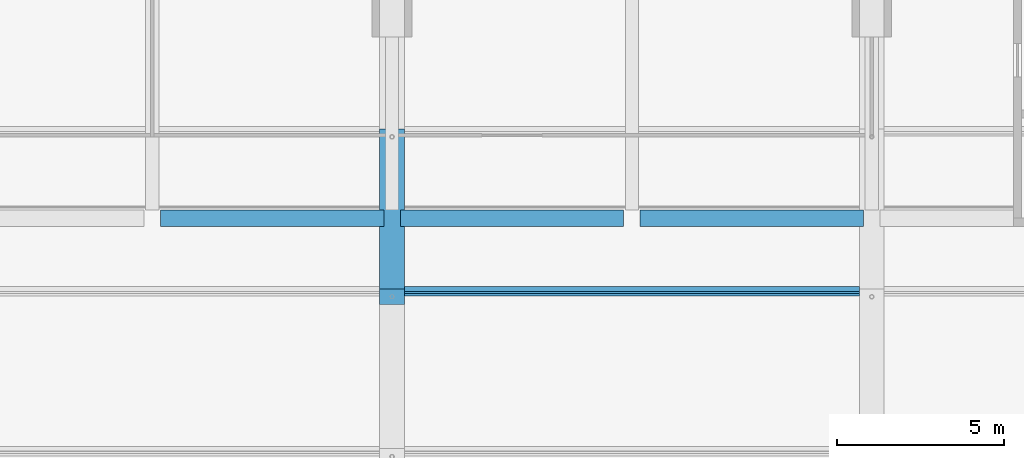
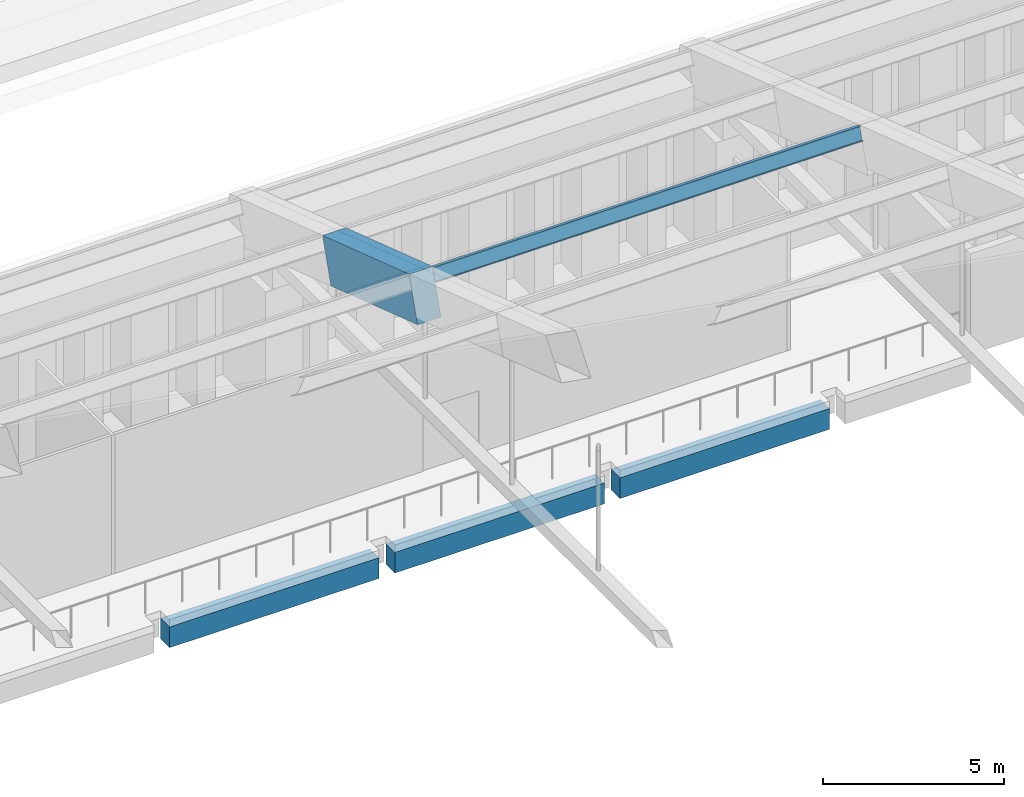
# One storey, part 82 of 149: 4 beams, 1 member.
"""IFC4 building model written with IfcOpenShell, lengths in metres."""

from ifc_helpers import new_model, si_unit, direction, frame, origin, origin_2d, place, context, subcontext, project, spatial, rectangle, i_section, extrude, material, material_profile, profile_set, type_object, element, save


model = new_model("IFC4")

# Units and contexts
model_context = context("Model", 3, precision=1e-05, world=origin(), true_north=direction((0.0, 1.0)))
body_context = subcontext(model_context, "Body", "Model", "MODEL_VIEW")
ifc_project = project(units=[si_unit("LENGTHUNIT", "METRE"), si_unit("AREAUNIT", "SQUARE_METRE"), si_unit("VOLUMEUNIT", "CUBIC_METRE"), si_unit("PLANEANGLEUNIT", "RADIAN"), si_unit("MASSUNIT", "GRAM", prefix="KILO")], contexts=[model_context])

# Site, building, storey
site_placement = place(None, origin())
site = spatial("IfcSite", under=ifc_project, at=site_placement, CompositionType="ELEMENT")
building_placement = place(site_placement, origin())
building = spatial("IfcBuilding", under=site, at=building_placement, Name="Alderwick Market Hall", CompositionType="ELEMENT")
storey_placement = place(building_placement, frame((0.0, 0.0, 9.60009765625)))
storey = spatial("IfcBuildingStorey", under=building, at=storey_placement, Name="L01", CompositionType="ELEMENT", Elevation=9.60009765625)

# Beams
ifc_material_1 = material(Name="Concrete 5000 psi (f'c 35 MPa)", Category="concrete")
ifc_material_profile_1 = material_profile(ifc_material_1, rectangle(XDim=0.5, YDim=0.699951171875, at=origin_2d()), Name="RC 500x700")
ifc_profile_set_1 = profile_set([ifc_material_profile_1], Name="Concrete 5000 psi (f'c 35 MPa)")
beam_type_1 = type_object("IfcBeamType", Name="H Edge beam 500x700", PredefinedType="BEAM", material=ifc_profile_set_1)
beam_1_placement = place(storey_placement, frame((115.449951171875, 100.760009765625, -0.60009765625), z_axis=(1.0, 0.0, 0.0), x_axis=(0.0, 1.0, 0.0)))
element("IfcBeam", 1, at=beam_1_placement, inside=storey, type_object=beam_type_1, Name="Gallery edge beam N", PredefinedType="BEAM", context=body_context, shape_type="SweptSolid", body=[
    extrude(rectangle(XDim=0.5, YDim=0.699951171875, at=origin_2d()), origin(), (0.0, 0.0, 1.0), 6.699951171875),
])
beam_2_placement = place(storey_placement, frame((122.64990234375, 100.760009765625, -0.60009765625), z_axis=(1.0, 0.0, 0.0), x_axis=(0.0, 1.0, 0.0)))
element("IfcBeam", 2, at=beam_2_placement, inside=storey, type_object=beam_type_1, Name="Gallery edge beam N", PredefinedType="BEAM", context=body_context, shape_type="SweptSolid", body=[
    extrude(rectangle(XDim=0.5, YDim=0.699951171875, at=origin_2d()), origin(), (0.0, 0.0, 1.0), 6.7001953125),
])
beam_3_placement = place(storey_placement, frame((129.85009765625, 100.760009765625, -0.60009765625), z_axis=(1.0, 0.0, 0.0), x_axis=(0.0, 1.0, 0.0)))
element("IfcBeam", 3, at=beam_3_placement, inside=storey, type_object=beam_type_1, Name="Gallery edge beam N", PredefinedType="BEAM", context=body_context, shape_type="SweptSolid", body=[
    extrude(rectangle(XDim=0.5, YDim=0.699951171875, at=origin_2d()), origin(), (0.0, 0.0, 1.0), 6.699951171875),
])
ifc_material_profile_2 = material_profile(ifc_material_1, rectangle(XDim=0.75, YDim=1.5, at=origin_2d()), Name="RC 750x1500")
ifc_profile_set_2 = profile_set([ifc_material_profile_2], Name="Concrete 5000 psi (f'c 35 MPa)")
beam_type_2 = type_object("IfcBeamType", Name="R Arch Rib Springing 750x1500", PredefinedType="BEAM", material=ifc_profile_set_2)
beam_4_placement = place(storey_placement, frame((122.39990234375, 98.39990234375, 9.7998046875), z_axis=(0.0, 0.948692948114, -0.316198814353), x_axis=(-1.0, 0.0, 0.0)))
element("IfcBeam", 4, at=beam_4_placement, inside=storey, type_object=beam_type_2, Name="Arch rib 6 chord 11", PredefinedType="BEAM", context=body_context, shape_type="SweptSolid", body=[
    extrude(rectangle(XDim=0.75, YDim=1.5, at=origin_2d()), origin(), (0.0, 0.0, 1.0), 5.0595703125),
])

# Member
ifc_material_2 = material(Name="Steel ASTM A992 Grade 50", Category="steel")
ifc_material_profile_3 = material_profile(ifc_material_2, i_section(OverallWidth=0.153076171875, OverallDepth=0.455078125, WebThickness=0.008056640625, FlangeThickness=0.01318359375, at=origin_2d()), Name="W18x40")
ifc_profile_set_3 = profile_set([ifc_material_profile_3], Name="Steel ASTM A992 Grade 50")
member_type = type_object("IfcMemberType", Name="R Purlin W18x40", PredefinedType="PURLIN", material=ifc_profile_set_3)
member_placement = place(storey_placement, frame((122.77490234375, 98.563232421875, 10.289794921875), z_axis=(1.0, 0.0, 0.0), x_axis=(0.0, 0.948683297073, -0.316227768949)))
element("IfcMember", 5, at=member_placement, inside=storey, type_object=member_type, Name="Roof purlin 11.6", PredefinedType="PURLIN", context=body_context, shape_type="SweptSolid", body=[
    extrude(i_section(OverallWidth=0.153076171875, OverallDepth=0.455078125, WebThickness=0.008056640625, FlangeThickness=0.01318359375, at=origin_2d()), origin(), (0.0, 0.0, 1.0), 13.650146484375),
])

save(model, "model.ifc")
